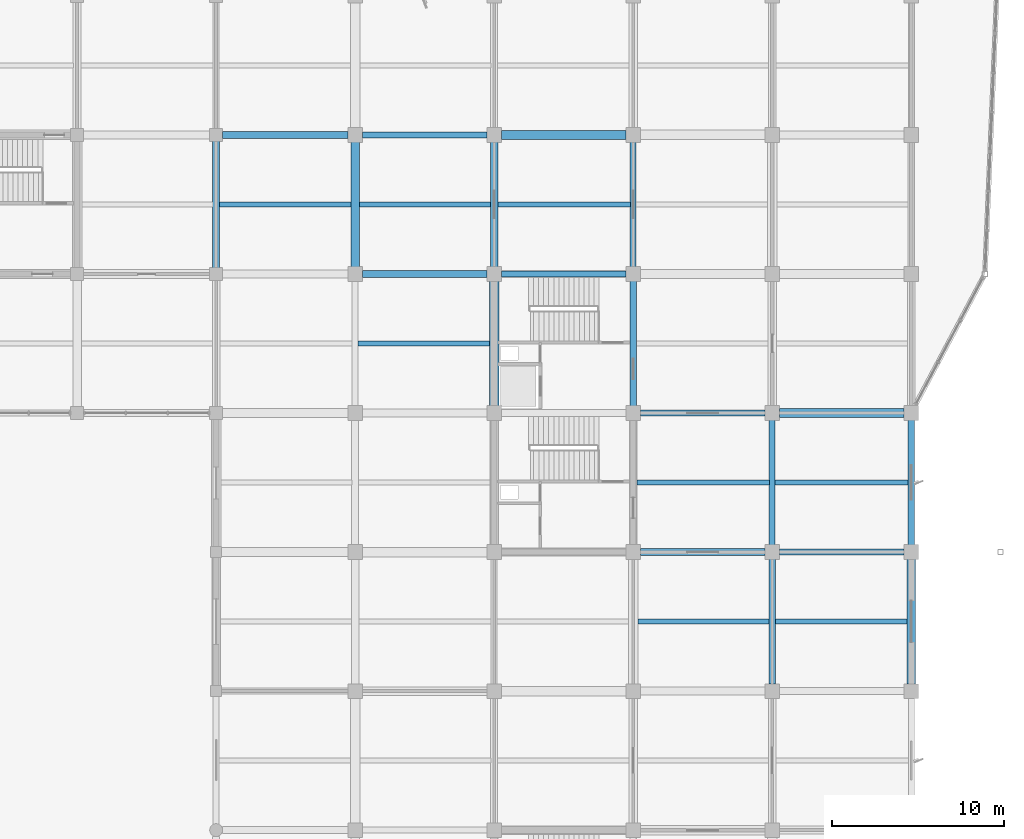
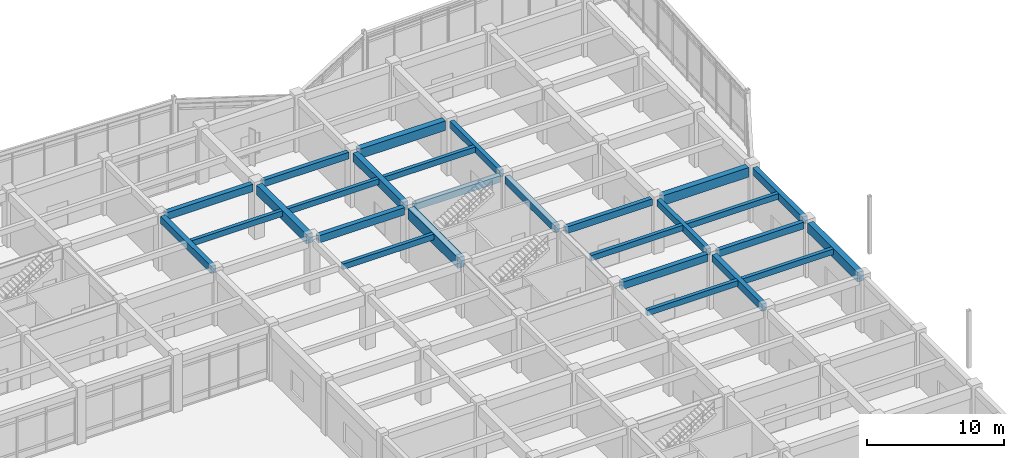
# One storey, part 43 of 99: 27 beams.
"""IFC4 building model written with IfcOpenShell, lengths in metres."""

import ifcopenshell
import ifcopenshell.guid

model = None  # the IFC model being written
_history = None  # IfcOwnerHistory: only IFC2X3 demands one
_inside = {}  # id of a spatial element -> (the spatial element, [elements in it])
_under = {}  # id of a project, library or spatial element -> (it, [spatial elements below it])
_declared = {}  # id of a project -> (the project, [libraries it declares])
_typed = {}  # id of a type object -> (the type object, [elements of that type])
_made_of = {}  # id of a material, layer set ... -> (it, [elements and type objects made of it])


def new_model(schema):
    """Start an empty IFC model of exactly this schema.

    Asked for "IFC4X3", IfcOpenShell would pick the latest addendum, in which some entities
    have other attributes; the version numbers below select the first issue.
    IFC2X3 requires an IfcOwnerHistory on every rooted entity: one is made here for all.
    """
    global model, _history
    if schema == "IFC4X3":
        model = ifcopenshell.file(schema_version=(4, 3, 0, 0))
    else:
        model = ifcopenshell.file(schema=schema)
    _inside.clear()
    _under.clear()
    _declared.clear()
    _typed.clear()
    _made_of.clear()
    _history = None
    if model.schema == "IFC2X3":
        org = make("IfcOrganization", Name="unknown")
        user = make(
            "IfcPersonAndOrganization",
            ThePerson=make("IfcPerson", FamilyName="unknown"),
            TheOrganization=org,
        )
        app = make(
            "IfcApplication",
            ApplicationDeveloper=org,
            Version="unknown",
            ApplicationFullName="unknown",
            ApplicationIdentifier="unknown",
        )
        _history = make(
            "IfcOwnerHistory",
            OwningUser=user,
            OwningApplication=app,
            ChangeAction="ADDED",
            CreationDate=0,
        )
    return model


def make(cls, **values):
    """One entity of the class cls with the attributes given. An attribute that is None is left unset."""
    return model.create_entity(
        cls, **{name: value for name, value in values.items() if value is not None}
    )


def rooted(cls, **values):
    """An entity with a GlobalId (a new one), such as an element, a storey or a relation."""
    return make(cls, GlobalId=ifcopenshell.guid.new(), OwnerHistory=_history, **values)


def si_unit(unit_type, name, prefix=None):
    """IfcSIUnit, for example si_unit("LENGTHUNIT", "METRE", prefix="MILLI")."""
    return make("IfcSIUnit", UnitType=unit_type, Prefix=prefix, Name=name)


def assignment(units):
    """IfcUnitAssignment: the units of a project."""
    return None if units is None else make("IfcUnitAssignment", Units=units)


def point(xyz):
    """IfcCartesianPoint."""
    return None if xyz is None else make("IfcCartesianPoint", Coordinates=xyz)


def direction(xyz):
    """IfcDirection."""
    return None if xyz is None else make("IfcDirection", DirectionRatios=xyz)


def frame(location, z_axis=None, x_axis=None):
    """IfcAxis2Placement3D, a coordinate frame: its origin and axes. An axis left out is left unset."""
    return make(
        "IfcAxis2Placement3D",
        Location=point(location),
        Axis=direction(z_axis),
        RefDirection=direction(x_axis),
    )


def frame_2d(location, x_axis=None):
    """IfcAxis2Placement2D, a coordinate frame in the plane: its origin and x axis."""
    return make(
        "IfcAxis2Placement2D", Location=point(location), RefDirection=direction(x_axis)
    )


def origin():
    """The frame at (0, 0, 0) with its axes left unset."""
    return frame((0.0, 0.0, 0.0))


def origin_2d():
    """The frame at (0, 0) in the plane with its x axis left unset."""
    return frame_2d((0.0, 0.0))


def place(relative_to, where):
    """IfcLocalPlacement: puts the frame where relative to a parent placement (None: the world)."""
    return make(
        "IfcLocalPlacement", PlacementRelTo=relative_to, RelativePlacement=where
    )


def context(
    kind, dimensions, precision=None, world=None, true_north=None, identifier=None
):
    """IfcGeometricRepresentationContext, for example the 3D "Model" context."""
    return make(
        "IfcGeometricRepresentationContext",
        ContextIdentifier=identifier,
        ContextType=kind,
        CoordinateSpaceDimension=dimensions,
        Precision=precision,
        WorldCoordinateSystem=world,
        TrueNorth=true_north,
    )


def subcontext(parent, identifier, kind, view, scale=None):
    """IfcGeometricRepresentationSubContext, for example "Body" below "Model"."""
    return make(
        "IfcGeometricRepresentationSubContext",
        ContextIdentifier=identifier,
        ContextType=kind,
        ParentContext=parent,
        TargetScale=scale,
        TargetView=view,
    )


def project(units=None, contexts=None):
    """IfcProject with its units and contexts."""
    return rooted(
        "IfcProject",
        Name="project",
        RepresentationContexts=contexts,
        UnitsInContext=assignment(units),
    )


def spatial(cls, under=None, at=None, **own):
    """A site, building, storey or space (cls), placed at a placement, below another one or the project."""
    s = rooted(cls, ObjectPlacement=at, **own)
    if under is not None:
        _under.setdefault(under.id(), (under, []))[1].append(s)
    return s


def profile(cls, at=None, kind="AREA", **sizes):
    """A parametric profile (cls). Its sizes go by their IFC names, for example OverallWidth=200.0."""
    return make(cls, ProfileType=kind, Position=at, **sizes)


def rectangle(**sizes):
    """IfcRectangleProfileDef."""
    return profile("IfcRectangleProfileDef", **sizes)


def extrude(swept, where, along, depth):
    """IfcExtrudedAreaSolid: the profile swept, set in the frame where, extruded along a direction by depth."""
    return make(
        "IfcExtrudedAreaSolid",
        SweptArea=swept,
        Position=where,
        ExtrudedDirection=direction(along),
        Depth=depth,
    )


def shape(context_of_items, identifier, shape_type, items):
    """IfcShapeRepresentation: the items that make up one representation, for example the "Body"."""
    return make(
        "IfcShapeRepresentation",
        ContextOfItems=context_of_items,
        RepresentationIdentifier=identifier,
        RepresentationType=shape_type,
        Items=items,
    )


def material(Name=None, Category=None):
    """IfcMaterial."""
    return make("IfcMaterial", Name=Name, Category=Category)


def material_profile(
    of_material, cross_section, Name=None, Category=None, Priority=None
):
    """IfcMaterialProfile: a cross section and its material."""
    return make(
        "IfcMaterialProfile",
        Name=Name,
        Material=of_material,
        Profile=cross_section,
        Priority=Priority,
        Category=Category,
    )


def profile_set(profiles, Name=None, composite=None):
    """IfcMaterialProfileSet."""
    return make(
        "IfcMaterialProfileSet",
        Name=Name,
        MaterialProfiles=profiles,
        CompositeProfile=composite,
    )


def made_of(thing, what):
    """Note that an element or type object is made of a material, layer set ...; save() writes the relation."""
    if what is not None:
        _made_of.setdefault(what.id(), (what, []))[1].append(thing)
    return thing


def type_object(cls, material=None, **own):
    """A type object (cls), such as IfcWallType, which elements share."""
    return made_of(rooted(cls, **own), material)


def element(
    cls,
    number,
    at=None,
    inside=None,
    cuts=None,
    type_object=None,
    material=None,
    context=None,
    identifier="Body",
    shape_type=None,
    held_by="IfcProductDefinitionShape",
    body=None,
    shapes=None,
    **own,
):
    """One element of the class cls, such as IfcWall. Its Tag is "e" and its number.

    at: its placement. inside: the storey or other place that contains it. cuts: it is an
    opening in that element (IfcRelVoidsElement). A single representation is given by context,
    identifier, shape_type and body (its items); several are given by shapes. held_by: the class
    of the entity that holds the representations. save() writes the other relations.
    """
    e = rooted(cls, Tag="e%d" % number, ObjectPlacement=at, **own)
    if body is not None:
        shapes = [shape(context, identifier, shape_type, body)]
    if shapes is not None:
        e.Representation = make(held_by, Representations=shapes)
    if inside is not None:
        _inside.setdefault(inside.id(), (inside, []))[1].append(e)
    if cuts is not None:
        rooted(
            "IfcRelVoidsElement", RelatingBuildingElement=cuts, RelatedOpeningElement=e
        )
    if type_object is not None:
        _typed.setdefault(type_object.id(), (type_object, []))[1].append(e)
    return made_of(e, material)


def aggregate(whole, parts):
    """IfcRelAggregates: a whole, such as a stair, and the parts it consists of."""
    return rooted("IfcRelAggregates", RelatingObject=whole, RelatedObjects=parts)


def save(model, path):
    """Write the relations noted so far, then the file.

    IfcRelAggregates (storeys below a building ...), IfcRelContainedInSpatialStructure (elements
    in a storey), IfcRelDefinesByType, IfcRelAssociatesMaterial and IfcRelDeclares: one each for
    every whole, place, type object, material and project.
    """
    for whole, parts in _under.values():
        aggregate(whole, parts)
    for where, things in _inside.values():
        rooted(
            "IfcRelContainedInSpatialStructure",
            RelatedElements=things,
            RelatingStructure=where,
        )
    for kind, things in _typed.values():
        rooted("IfcRelDefinesByType", RelatedObjects=things, RelatingType=kind)
    for what, things in _made_of.values():
        rooted("IfcRelAssociatesMaterial", RelatedObjects=things, RelatingMaterial=what)
    for by, libraries in _declared.values():
        rooted("IfcRelDeclares", RelatingContext=by, RelatedDefinitions=libraries)
    model.write(path)


model = new_model("IFC4")

# Units and contexts
model_context = context("Model", 3, precision=1e-05, world=origin(), true_north=direction((0.0, 1.0)))
body_context = subcontext(model_context, "Body", "Model", "MODEL_VIEW")
ifc_project = project(units=[si_unit("LENGTHUNIT", "METRE"), si_unit("AREAUNIT", "SQUARE_METRE"), si_unit("VOLUMEUNIT", "CUBIC_METRE"), si_unit("PLANEANGLEUNIT", "RADIAN"), si_unit("MASSUNIT", "GRAM", prefix="KILO")], contexts=[model_context])

# Site, building, storey
site_placement = place(None, origin())
site = spatial("IfcSite", under=ifc_project, at=site_placement, CompositionType="ELEMENT")
building_placement = place(site_placement, origin())
building = spatial("IfcBuilding", under=site, at=building_placement, Name="Vaudrelin Polytechnic", CompositionType="ELEMENT")
storey_placement = place(building_placement, origin())
storey = spatial("IfcBuildingStorey", under=building, at=storey_placement, Name="L00", CompositionType="ELEMENT", Elevation=0.0)

# Beams
ifc_material_1 = material(Name="Concrete 40 MPa", Category="concrete")
ifc_material_profile_1 = material_profile(ifc_material_1, rectangle(XDim=0.35009765625, YDim=0.60009765625, at=origin_2d()), Name="RC350x600")
ifc_profile_set_1 = profile_set([ifc_material_profile_1], Name="Concrete 40 MPa")
beam_type_1 = type_object("IfcBeamType", Name="BM-BM-RC3560", PredefinedType="BEAM", material=ifc_profile_set_1)
for number, where, z_axis, x_axis, name in (
    (1, (153.89990234375, 105.7099609375, 4.52001953125), (0.0, 1.0, 0.0), (-1.0, 0.0, 0.0), "L00 Y-beam 20-14"),
    (2, (162.0, 89.510009765625, 4.52001953125), (0.0, 1.0, 0.0), (-1.0, 0.0, 0.0), "L00 Y-beam 21-12"),
):
    element("IfcBeam", number, at=place(storey_placement, frame(where, z_axis=z_axis, x_axis=x_axis)), inside=storey, type_object=beam_type_1, Name=name, PredefinedType="BEAM", context=body_context, shape_type="SweptSolid", body=[
        extrude(rectangle(XDim=0.35009765625, YDim=0.60009765625, at=origin_2d()), origin(), (0.0, 0.0, 1.0), 7.280029296875),
    ])
beam_1_placement = place(storey_placement, frame((138.12109375, 113.39990234375, 4.52001953125), z_axis=(1.0, 0.0, 0.0), x_axis=(0.0, 1.0, 0.0)))
element("IfcBeam", 3, at=beam_1_placement, inside=storey, type_object=beam_type_1, Name="L00 X-beam 18-15", PredefinedType="BEAM", context=body_context, shape_type="SweptSolid", body=[
    extrude(rectangle(XDim=0.35009765625, YDim=0.60009765625, at=origin_2d()), origin(), (0.0, 0.0, 1.0), 7.2578125),
])
for number, where, z_axis, x_axis, name in (
    (4, (146.220947265625, 105.300048828125, 4.52001953125), (1.0, 0.0, 0.0), (0.0, 1.0, 0.0), "L00 X-beam 19-14"),
    (5, (154.321044921875, 97.199951171875, 4.52001953125), (1.0, 0.0, 0.0), (0.0, 1.0, 0.0), "L00 X-beam 20-13"),
    (6, (162.4208984375, 89.10009765625, 4.52001953125), (1.0, 0.0, 0.0), (0.0, 1.0, 0.0), "L00 X-beam 21-12"),
):
    element("IfcBeam", number, at=place(storey_placement, frame(where, z_axis=z_axis, x_axis=x_axis)), inside=storey, type_object=beam_type_1, Name=name, PredefinedType="BEAM", context=body_context, shape_type="SweptSolid", body=[
        extrude(rectangle(XDim=0.35009765625, YDim=0.60009765625, at=origin_2d()), origin(), (0.0, 0.0, 1.0), 7.258056640625),
    ])
ifc_material_profile_2 = material_profile(ifc_material_1, rectangle(XDim=0.39990234375, YDim=0.64990234375, at=origin_2d()), Name="RC400x650")
ifc_profile_set_2 = profile_set([ifc_material_profile_2], Name="Concrete 40 MPa")
beam_type_2 = type_object("IfcBeamType", Name="BM-BM-RC4065", PredefinedType="BEAM", material=ifc_profile_set_2)
beam_2_placement = place(storey_placement, frame((129.60009765625, 105.659912109375, 4.4951171875), z_axis=(0.0, 1.0, 0.0), x_axis=(-1.0, 0.0, 0.0)))
element("IfcBeam", 7, at=beam_2_placement, inside=storey, type_object=beam_type_2, Name="L00 Y-beam 17-14", PredefinedType="BEAM", context=body_context, shape_type="SweptSolid", body=[
    extrude(rectangle(XDim=0.39990234375, YDim=0.64990234375, at=origin_2d()), origin(), (0.0, 0.0, 1.0), 7.380126953125),
])
beam_3_placement = place(storey_placement, frame((153.89990234375, 97.610107421875, 4.4951171875), z_axis=(0.0, 1.0, 0.0), x_axis=(-1.0, 0.0, 0.0)))
element("IfcBeam", 8, at=beam_3_placement, inside=storey, type_object=beam_type_2, Name="L00 Y-beam 20-13", PredefinedType="BEAM", context=body_context, shape_type="SweptSolid", body=[
    extrude(rectangle(XDim=0.39990234375, YDim=0.64990234375, at=origin_2d()), origin(), (0.0, 0.0, 1.0), 7.27978515625),
])
beam_4_placement = place(storey_placement, frame((162.0, 81.409912109375, 4.4951171875), z_axis=(0.0, 1.0, 0.0), x_axis=(-1.0, 0.0, 0.0)))
element("IfcBeam", 9, at=beam_4_placement, inside=storey, type_object=beam_type_2, Name="L00 Y-beam 21-11", PredefinedType="BEAM", context=body_context, shape_type="SweptSolid", body=[
    extrude(rectangle(XDim=0.39990234375, YDim=0.64990234375, at=origin_2d()), origin(), (0.0, 0.0, 1.0), 7.280029296875),
])
beam_5_placement = place(storey_placement, frame((129.970947265625, 113.39990234375, 4.4951171875), z_axis=(1.0, 0.0, 0.0), x_axis=(0.0, 1.0, 0.0)))
element("IfcBeam", 10, at=beam_5_placement, inside=storey, type_object=beam_type_2, Name="L00 X-beam 17-15", PredefinedType="BEAM", context=body_context, shape_type="SweptSolid", body=[
    extrude(rectangle(XDim=0.39990234375, YDim=0.64990234375, at=origin_2d()), origin(), (0.0, 0.0, 1.0), 7.30810546875),
])
beam_6_placement = place(storey_placement, frame((138.12109375, 105.300048828125, 4.4951171875), z_axis=(1.0, 0.0, 0.0), x_axis=(0.0, 1.0, 0.0)))
element("IfcBeam", 11, at=beam_6_placement, inside=storey, type_object=beam_type_2, Name="L00 X-beam 18-14", PredefinedType="BEAM", context=body_context, shape_type="SweptSolid", body=[
    extrude(rectangle(XDim=0.39990234375, YDim=0.64990234375, at=origin_2d()), origin(), (0.0, 0.0, 1.0), 7.2578125),
])
beam_7_placement = place(storey_placement, frame((154.321044921875, 89.10009765625, 4.4951171875), z_axis=(1.0, 0.0, 0.0), x_axis=(0.0, 1.0, 0.0)))
element("IfcBeam", 12, at=beam_7_placement, inside=storey, type_object=beam_type_2, Name="L00 X-beam 20-12", PredefinedType="BEAM", context=body_context, shape_type="SweptSolid", body=[
    extrude(rectangle(XDim=0.39990234375, YDim=0.64990234375, at=origin_2d()), origin(), (0.0, 0.0, 1.0), 7.258056640625),
])
ifc_material_profile_3 = material_profile(ifc_material_1, rectangle(XDim=0.449951171875, YDim=0.75, at=origin_2d()), Name="RC450x750")
ifc_profile_set_3 = profile_set([ifc_material_profile_3], Name="Concrete 40 MPa")
beam_type_3 = type_object("IfcBeamType", Name="BM-BM-RC4575", PredefinedType="BEAM", material=ifc_profile_set_3)
beam_8_placement = place(storey_placement, frame((145.800048828125, 105.7099609375, 4.445068359375), z_axis=(0.0, 1.0, 0.0), x_axis=(-1.0, 0.0, 0.0)))
element("IfcBeam", 13, at=beam_8_placement, inside=storey, type_object=beam_type_3, Name="L00 Y-beam 19-14", PredefinedType="BEAM", context=body_context, shape_type="SweptSolid", body=[
    extrude(rectangle(XDim=0.449951171875, YDim=0.75, at=origin_2d()), origin(), (0.0, 0.0, 1.0), 7.280029296875),
])
ifc_material_profile_4 = material_profile(ifc_material_1, rectangle(XDim=0.5, YDim=0.85009765625, at=origin_2d()), Name="RC500x850")
ifc_profile_set_4 = profile_set([ifc_material_profile_4], Name="Concrete 40 MPa")
beam_type_4 = type_object("IfcBeamType", Name="BM-BM-RC5085", PredefinedType="BEAM", material=ifc_profile_set_4)
for number, where, z_axis, x_axis, name in (
    (14, (137.699951171875, 105.7099609375, 4.39501953125), (0.0, 1.0, 0.0), (-1.0, 0.0, 0.0), "L00 Y-beam 18-14"),
    (15, (170.10009765625, 81.409912109375, 4.39501953125), (0.0, 1.0, 0.0), (-1.0, 0.0, 0.0), "L00 Y-beam 22-11"),
):
    element("IfcBeam", number, at=place(storey_placement, frame(where, z_axis=z_axis, x_axis=x_axis)), inside=storey, type_object=beam_type_4, Name=name, PredefinedType="BEAM", context=body_context, shape_type="SweptSolid", body=[
        extrude(rectangle(XDim=0.5, YDim=0.85009765625, at=origin_2d()), origin(), (0.0, 0.0, 1.0), 7.280029296875),
    ])
for number, where, z_axis, x_axis, name in (
    (16, (146.220947265625, 113.39990234375, 4.39501953125), (1.0, 0.0, 0.0), (0.0, 1.0, 0.0), "L00 X-beam 19-15"),
    (17, (162.4208984375, 97.199951171875, 4.39501953125), (1.0, 0.0, 0.0), (0.0, 1.0, 0.0), "L00 X-beam 21-13"),
):
    element("IfcBeam", number, at=place(storey_placement, frame(where, z_axis=z_axis, x_axis=x_axis)), inside=storey, type_object=beam_type_4, Name=name, PredefinedType="BEAM", context=body_context, shape_type="SweptSolid", body=[
        extrude(rectangle(XDim=0.5, YDim=0.85009765625, at=origin_2d()), origin(), (0.0, 0.0, 1.0), 7.258056640625),
    ])
ifc_material_2 = material(Name="Concrete 50 MPa", Category="concrete")
ifc_material_profile_5 = material_profile(ifc_material_2, rectangle(XDim=0.550048828125, YDim=0.949951171875, at=origin_2d()), Name="RC550x950")
ifc_profile_set_5 = profile_set([ifc_material_profile_5], Name="Concrete 50 MPa")
beam_type_5 = type_object("IfcBeamType", Name="BM-BM-RC5595", PredefinedType="BEAM", material=ifc_profile_set_5)
beam_9_placement = place(storey_placement, frame((145.800048828125, 97.610107421875, 4.344970703125), z_axis=(0.0, 1.0, 0.0), x_axis=(-1.0, 0.0, 0.0)))
element("IfcBeam", 18, at=beam_9_placement, inside=storey, type_object=beam_type_5, Name="L00 Y-beam 19-13", PredefinedType="BEAM", context=body_context, shape_type="SweptSolid", body=[
    extrude(rectangle(XDim=0.550048828125, YDim=0.949951171875, at=origin_2d()), origin(), (0.0, 0.0, 1.0), 7.27978515625),
])
ifc_material_profile_6 = material_profile(ifc_material_1, rectangle(XDim=0.300048828125, YDim=0.5, at=origin_2d()), Name="RC300x500")
ifc_profile_set_6 = profile_set([ifc_material_profile_6], Name="Concrete 40 MPa")
beam_type_6 = type_object("IfcBeamType", Name="BM-JS-RC3050", PredefinedType="JOIST", material=ifc_profile_set_6)
beam_10_placement = place(storey_placement, frame((129.7958984375, 109.35009765625, 4.570068359375), z_axis=(1.0, 0.0, 0.0), x_axis=(0.0, 1.0, 0.0)))
element("IfcBeam", 19, at=beam_10_placement, inside=storey, type_object=beam_type_6, Name="L00 floor joist 17-14", PredefinedType="JOIST", context=body_context, shape_type="SweptSolid", body=[
    extrude(rectangle(XDim=0.300048828125, YDim=0.5, at=origin_2d()), origin(), (0.0, 0.0, 1.0), 7.658203125),
])
beam_11_placement = place(storey_placement, frame((137.87109375, 101.25, 4.570068359375), z_axis=(1.0, 0.0, 0.0), x_axis=(0.0, 1.0, 0.0)))
element("IfcBeam", 20, at=beam_11_placement, inside=storey, type_object=beam_type_6, Name="L00 floor joist 18-13", PredefinedType="JOIST", context=body_context, shape_type="SweptSolid", body=[
    extrude(rectangle(XDim=0.300048828125, YDim=0.5, at=origin_2d()), origin(), (0.0, 0.0, 1.0), 7.657958984375),
])
beam_12_placement = place(storey_placement, frame((137.946044921875, 109.35009765625, 4.570068359375), z_axis=(1.0, 0.0, 0.0), x_axis=(0.0, 1.0, 0.0)))
element("IfcBeam", 21, at=beam_12_placement, inside=storey, type_object=beam_type_6, Name="L00 floor joist 18-14", PredefinedType="JOIST", context=body_context, shape_type="SweptSolid", body=[
    extrude(rectangle(XDim=0.300048828125, YDim=0.5, at=origin_2d()), origin(), (0.0, 0.0, 1.0), 7.633056640625),
])
beam_13_placement = place(storey_placement, frame((146.02099609375, 109.35009765625, 4.570068359375), z_axis=(1.0, 0.0, 0.0), x_axis=(0.0, 1.0, 0.0)))
element("IfcBeam", 22, at=beam_13_placement, inside=storey, type_object=beam_type_6, Name="L00 floor joist 19-14", PredefinedType="JOIST", context=body_context, shape_type="SweptSolid", body=[
    extrude(rectangle(XDim=0.300048828125, YDim=0.5, at=origin_2d()), origin(), (0.0, 0.0, 1.0), 7.7080078125),
])
beam_14_placement = place(storey_placement, frame((154.1708984375, 85.050048828125, 4.570068359375), z_axis=(1.0, 0.0, 0.0), x_axis=(0.0, 1.0, 0.0)))
element("IfcBeam", 23, at=beam_14_placement, inside=storey, type_object=beam_type_6, Name="L00 floor joist 20-11", PredefinedType="JOIST", context=body_context, shape_type="SweptSolid", body=[
    extrude(rectangle(XDim=0.300048828125, YDim=0.5, at=origin_2d()), origin(), (0.0, 0.0, 1.0), 7.633056640625),
])
beam_15_placement = place(storey_placement, frame((154.12109375, 93.14990234375, 4.570068359375), z_axis=(1.0, 0.0, 0.0), x_axis=(0.0, 1.0, 0.0)))
element("IfcBeam", 24, at=beam_15_placement, inside=storey, type_object=beam_type_6, Name="L00 floor joist 20-12", PredefinedType="JOIST", context=body_context, shape_type="SweptSolid", body=[
    extrude(rectangle(XDim=0.300048828125, YDim=0.5, at=origin_2d()), origin(), (0.0, 0.0, 1.0), 7.7080078125),
])
beam_16_placement = place(storey_placement, frame((162.196044921875, 85.050048828125, 4.570068359375), z_axis=(1.0, 0.0, 0.0), x_axis=(0.0, 1.0, 0.0)))
element("IfcBeam", 25, at=beam_16_placement, inside=storey, type_object=beam_type_6, Name="L00 floor joist 21-11", PredefinedType="JOIST", context=body_context, shape_type="SweptSolid", body=[
    extrude(rectangle(XDim=0.300048828125, YDim=0.5, at=origin_2d()), origin(), (0.0, 0.0, 1.0), 7.657958984375),
])
beam_17_placement = place(storey_placement, frame((162.1708984375, 93.14990234375, 4.570068359375), z_axis=(1.0, 0.0, 0.0), x_axis=(0.0, 1.0, 0.0)))
element("IfcBeam", 26, at=beam_17_placement, inside=storey, type_object=beam_type_6, Name="L00 floor joist 21-12", PredefinedType="JOIST", context=body_context, shape_type="SweptSolid", body=[
    extrude(rectangle(XDim=0.300048828125, YDim=0.5, at=origin_2d()), origin(), (0.0, 0.0, 1.0), 7.733154296875),
])
ifc_material_profile_7 = material_profile(ifc_material_1, rectangle(XDim=0.39990234375, YDim=0.64990234375, at=origin_2d()), Name="RC400x650")
ifc_profile_set_7 = profile_set([ifc_material_profile_7], Name="Concrete 40 MPa")
beam_type_7 = type_object("IfcBeamType", Name="BM-SP-RC4065", PredefinedType="SPANDREL", material=ifc_profile_set_7)
beam_18_placement = place(storey_placement, frame((170.10009765625, 89.510009765625, 4.4951171875), z_axis=(0.0, 1.0, 0.0), x_axis=(-1.0, 0.0, 0.0)))
element("IfcBeam", 27, at=beam_18_placement, inside=storey, type_object=beam_type_7, Name="L00 Y-beam 22-12", PredefinedType="SPANDREL", context=body_context, shape_type="SweptSolid", body=[
    extrude(rectangle(XDim=0.39990234375, YDim=0.64990234375, at=origin_2d()), origin(), (0.0, 0.0, 1.0), 7.280029296875),
])

save(model, "model.ifc")
